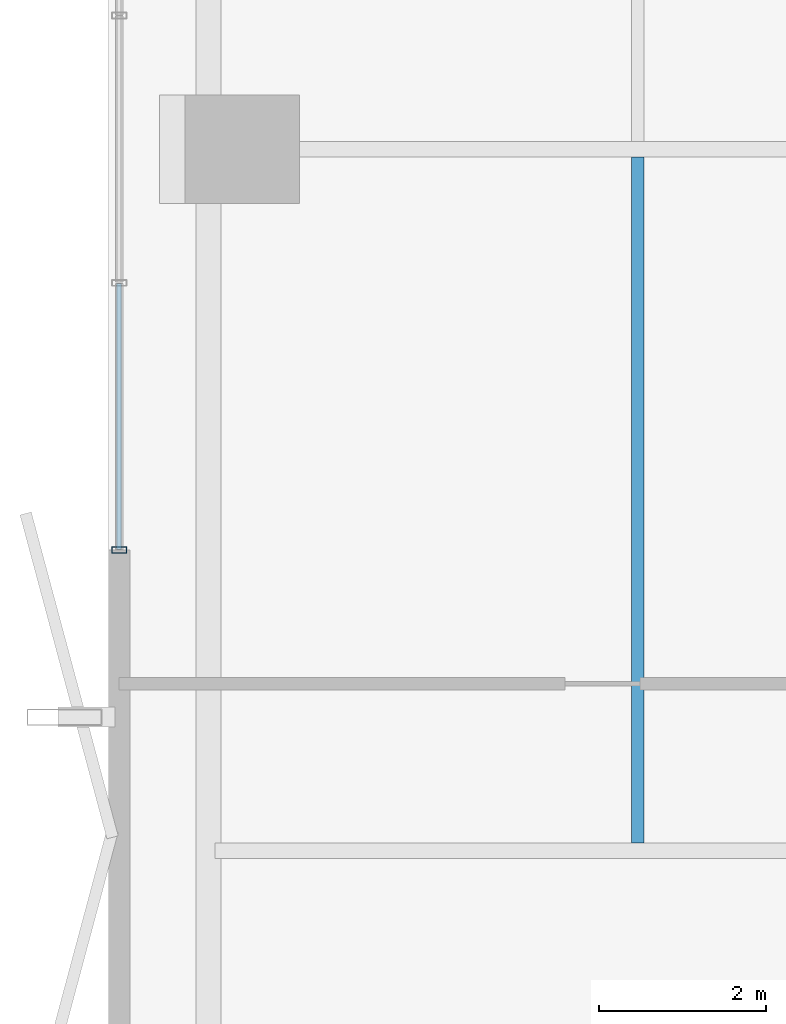
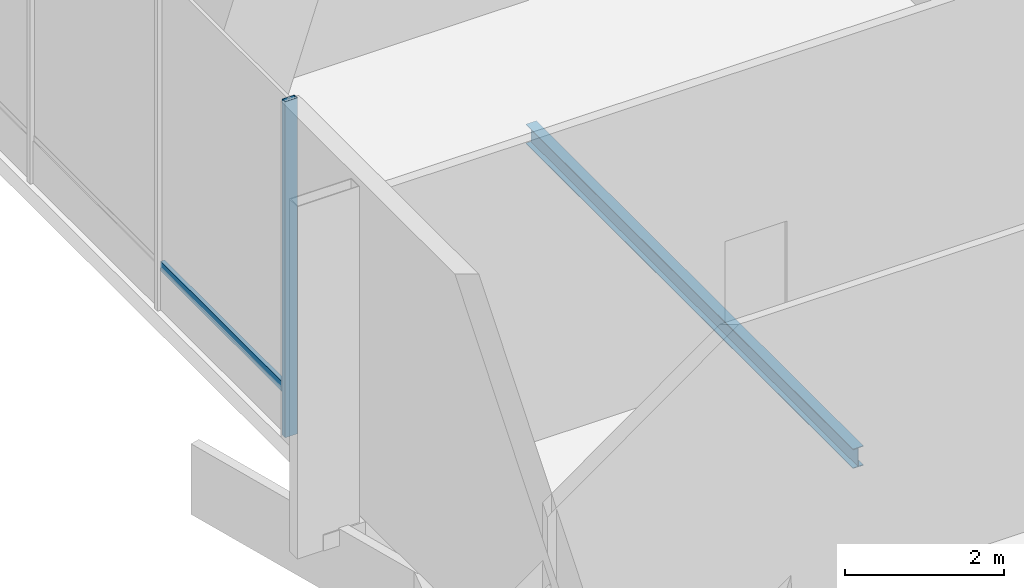
# One storey, part 6 of 28: 2 members, 1 beam, 1 element without a shape of its own.
"""IFC4 building model written with IfcOpenShell, lengths in metres."""

import ifcopenshell
import ifcopenshell.guid

model = None  # the IFC model being written
_history = None  # IfcOwnerHistory: only IFC2X3 demands one
_inside = {}  # id of a spatial element -> (the spatial element, [elements in it])
_under = {}  # id of a project, library or spatial element -> (it, [spatial elements below it])
_declared = {}  # id of a project -> (the project, [libraries it declares])
_typed = {}  # id of a type object -> (the type object, [elements of that type])
_made_of = {}  # id of a material, layer set ... -> (it, [elements and type objects made of it])


def new_model(schema):
    """Start an empty IFC model of exactly this schema.

    Asked for "IFC4X3", IfcOpenShell would pick the latest addendum, in which some entities
    have other attributes; the version numbers below select the first issue.
    IFC2X3 requires an IfcOwnerHistory on every rooted entity: one is made here for all.
    """
    global model, _history
    if schema == "IFC4X3":
        model = ifcopenshell.file(schema_version=(4, 3, 0, 0))
    else:
        model = ifcopenshell.file(schema=schema)
    _inside.clear()
    _under.clear()
    _declared.clear()
    _typed.clear()
    _made_of.clear()
    _history = None
    if model.schema == "IFC2X3":
        org = make("IfcOrganization", Name="unknown")
        user = make(
            "IfcPersonAndOrganization",
            ThePerson=make("IfcPerson", FamilyName="unknown"),
            TheOrganization=org,
        )
        app = make(
            "IfcApplication",
            ApplicationDeveloper=org,
            Version="unknown",
            ApplicationFullName="unknown",
            ApplicationIdentifier="unknown",
        )
        _history = make(
            "IfcOwnerHistory",
            OwningUser=user,
            OwningApplication=app,
            ChangeAction="ADDED",
            CreationDate=0,
        )
    return model


def make(cls, **values):
    """One entity of the class cls with the attributes given. An attribute that is None is left unset."""
    return model.create_entity(
        cls, **{name: value for name, value in values.items() if value is not None}
    )


def rooted(cls, **values):
    """An entity with a GlobalId (a new one), such as an element, a storey or a relation."""
    return make(cls, GlobalId=ifcopenshell.guid.new(), OwnerHistory=_history, **values)


def si_unit(unit_type, name, prefix=None):
    """IfcSIUnit, for example si_unit("LENGTHUNIT", "METRE", prefix="MILLI")."""
    return make("IfcSIUnit", UnitType=unit_type, Prefix=prefix, Name=name)


def assignment(units):
    """IfcUnitAssignment: the units of a project."""
    return None if units is None else make("IfcUnitAssignment", Units=units)


def point(xyz):
    """IfcCartesianPoint."""
    return None if xyz is None else make("IfcCartesianPoint", Coordinates=xyz)


def direction(xyz):
    """IfcDirection."""
    return None if xyz is None else make("IfcDirection", DirectionRatios=xyz)


def frame(location, z_axis=None, x_axis=None):
    """IfcAxis2Placement3D, a coordinate frame: its origin and axes. An axis left out is left unset."""
    return make(
        "IfcAxis2Placement3D",
        Location=point(location),
        Axis=direction(z_axis),
        RefDirection=direction(x_axis),
    )


def frame_2d(location, x_axis=None):
    """IfcAxis2Placement2D, a coordinate frame in the plane: its origin and x axis."""
    return make(
        "IfcAxis2Placement2D", Location=point(location), RefDirection=direction(x_axis)
    )


def origin():
    """The frame at (0, 0, 0) with its axes left unset."""
    return frame((0.0, 0.0, 0.0))


def origin_2d():
    """The frame at (0, 0) in the plane with its x axis left unset."""
    return frame_2d((0.0, 0.0))


def place(relative_to, where):
    """IfcLocalPlacement: puts the frame where relative to a parent placement (None: the world)."""
    return make(
        "IfcLocalPlacement", PlacementRelTo=relative_to, RelativePlacement=where
    )


def context(
    kind, dimensions, precision=None, world=None, true_north=None, identifier=None
):
    """IfcGeometricRepresentationContext, for example the 3D "Model" context."""
    return make(
        "IfcGeometricRepresentationContext",
        ContextIdentifier=identifier,
        ContextType=kind,
        CoordinateSpaceDimension=dimensions,
        Precision=precision,
        WorldCoordinateSystem=world,
        TrueNorth=true_north,
    )


def subcontext(parent, identifier, kind, view, scale=None):
    """IfcGeometricRepresentationSubContext, for example "Body" below "Model"."""
    return make(
        "IfcGeometricRepresentationSubContext",
        ContextIdentifier=identifier,
        ContextType=kind,
        ParentContext=parent,
        TargetScale=scale,
        TargetView=view,
    )


def project(units=None, contexts=None):
    """IfcProject with its units and contexts."""
    return rooted(
        "IfcProject",
        Name="project",
        RepresentationContexts=contexts,
        UnitsInContext=assignment(units),
    )


def spatial(cls, under=None, at=None, **own):
    """A site, building, storey or space (cls), placed at a placement, below another one or the project."""
    s = rooted(cls, ObjectPlacement=at, **own)
    if under is not None:
        _under.setdefault(under.id(), (under, []))[1].append(s)
    return s


def profile(cls, at=None, kind="AREA", **sizes):
    """A parametric profile (cls). Its sizes go by their IFC names, for example OverallWidth=200.0."""
    return make(cls, ProfileType=kind, Position=at, **sizes)


def hollow_rectangle(**sizes):
    """IfcRectangleHollowProfileDef."""
    return profile("IfcRectangleHollowProfileDef", **sizes)


def i_section(**sizes):
    """IfcIShapeProfileDef."""
    return profile("IfcIShapeProfileDef", **sizes)


def extrude(swept, where, along, depth):
    """IfcExtrudedAreaSolid: the profile swept, set in the frame where, extruded along a direction by depth."""
    return make(
        "IfcExtrudedAreaSolid",
        SweptArea=swept,
        Position=where,
        ExtrudedDirection=direction(along),
        Depth=depth,
    )


def shape(context_of_items, identifier, shape_type, items):
    """IfcShapeRepresentation: the items that make up one representation, for example the "Body"."""
    return make(
        "IfcShapeRepresentation",
        ContextOfItems=context_of_items,
        RepresentationIdentifier=identifier,
        RepresentationType=shape_type,
        Items=items,
    )


def material(Name=None, Category=None):
    """IfcMaterial."""
    return make("IfcMaterial", Name=Name, Category=Category)


def layer(
    of_material, thickness, ventilated=None, Name=None, Category=None, Priority=None
):
    """IfcMaterialLayer: one layer of a wall or slab, of a material (None: an air gap)."""
    return make(
        "IfcMaterialLayer",
        Material=of_material,
        LayerThickness=thickness,
        IsVentilated=ventilated,
        Name=Name,
        Category=Category,
        Priority=Priority,
    )


def layer_set(layers, Name=None):
    """IfcMaterialLayerSet."""
    return make("IfcMaterialLayerSet", MaterialLayers=layers, LayerSetName=Name)


def material_profile(
    of_material, cross_section, Name=None, Category=None, Priority=None
):
    """IfcMaterialProfile: a cross section and its material."""
    return make(
        "IfcMaterialProfile",
        Name=Name,
        Material=of_material,
        Profile=cross_section,
        Priority=Priority,
        Category=Category,
    )


def profile_set(profiles, Name=None, composite=None):
    """IfcMaterialProfileSet."""
    return make(
        "IfcMaterialProfileSet",
        Name=Name,
        MaterialProfiles=profiles,
        CompositeProfile=composite,
    )


def made_of(thing, what):
    """Note that an element or type object is made of a material, layer set ...; save() writes the relation."""
    if what is not None:
        _made_of.setdefault(what.id(), (what, []))[1].append(thing)
    return thing


def type_object(cls, material=None, **own):
    """A type object (cls), such as IfcWallType, which elements share."""
    return made_of(rooted(cls, **own), material)


def element(
    cls,
    number,
    at=None,
    inside=None,
    cuts=None,
    type_object=None,
    material=None,
    context=None,
    identifier="Body",
    shape_type=None,
    held_by="IfcProductDefinitionShape",
    body=None,
    shapes=None,
    **own,
):
    """One element of the class cls, such as IfcWall. Its Tag is "e" and its number.

    at: its placement. inside: the storey or other place that contains it. cuts: it is an
    opening in that element (IfcRelVoidsElement). A single representation is given by context,
    identifier, shape_type and body (its items); several are given by shapes. held_by: the class
    of the entity that holds the representations. save() writes the other relations.
    """
    e = rooted(cls, Tag="e%d" % number, ObjectPlacement=at, **own)
    if body is not None:
        shapes = [shape(context, identifier, shape_type, body)]
    if shapes is not None:
        e.Representation = make(held_by, Representations=shapes)
    if inside is not None:
        _inside.setdefault(inside.id(), (inside, []))[1].append(e)
    if cuts is not None:
        rooted(
            "IfcRelVoidsElement", RelatingBuildingElement=cuts, RelatedOpeningElement=e
        )
    if type_object is not None:
        _typed.setdefault(type_object.id(), (type_object, []))[1].append(e)
    return made_of(e, material)


def aggregate(whole, parts):
    """IfcRelAggregates: a whole, such as a stair, and the parts it consists of."""
    return rooted("IfcRelAggregates", RelatingObject=whole, RelatedObjects=parts)


def save(model, path):
    """Write the relations noted so far, then the file.

    IfcRelAggregates (storeys below a building ...), IfcRelContainedInSpatialStructure (elements
    in a storey), IfcRelDefinesByType, IfcRelAssociatesMaterial and IfcRelDeclares: one each for
    every whole, place, type object, material and project.
    """
    for whole, parts in _under.values():
        aggregate(whole, parts)
    for where, things in _inside.values():
        rooted(
            "IfcRelContainedInSpatialStructure",
            RelatedElements=things,
            RelatingStructure=where,
        )
    for kind, things in _typed.values():
        rooted("IfcRelDefinesByType", RelatedObjects=things, RelatingType=kind)
    for what, things in _made_of.values():
        rooted("IfcRelAssociatesMaterial", RelatedObjects=things, RelatingMaterial=what)
    for by, libraries in _declared.values():
        rooted("IfcRelDeclares", RelatingContext=by, RelatedDefinitions=libraries)
    model.write(path)


model = new_model("IFC4")

# Units and contexts
model_context = context("Model", 3, precision=1e-05, world=origin(), true_north=direction((0.0, 1.0)))
body_context = subcontext(model_context, "Body", "Model", "MODEL_VIEW")
ifc_project = project(units=[si_unit("LENGTHUNIT", "METRE"), si_unit("AREAUNIT", "SQUARE_METRE"), si_unit("VOLUMEUNIT", "CUBIC_METRE"), si_unit("PLANEANGLEUNIT", "RADIAN"), si_unit("MASSUNIT", "GRAM", prefix="KILO")], contexts=[model_context])

# Site, building, storey
site_placement = place(None, origin())
site = spatial("IfcSite", under=ifc_project, at=site_placement, CompositionType="ELEMENT")
building_placement = place(site_placement, origin())
building = spatial("IfcBuilding", under=site, at=building_placement, Name="Belovzor Exchange Tower", CompositionType="ELEMENT")
storey_placement = place(building_placement, frame((0.0, 0.0, 132.89990234375)))
storey = spatial("IfcBuildingStorey", under=building, at=storey_placement, Name="L32", CompositionType="ELEMENT", Elevation=132.89990234375)

# Beam
ifc_material_1 = material(Name="Steel S355", Category="steel")
ifc_material_profile_1 = material_profile(ifc_material_1, i_section(OverallWidth=0.14990234375, OverallDepth=0.300048828125, WebThickness=0.007080078125, FlangeThickness=0.0107421875, at=origin_2d()))
ifc_profile_set_1 = profile_set([ifc_material_profile_1], Name="Steel S355")
beam_type = type_object("IfcBeamType", Name="Secondary Trim Floor Joist IPE 300", PredefinedType="BEAM", material=ifc_profile_set_1)
beam_placement = place(storey_placement, frame((9.0390625, 20.4951171875, -0.39990234375), z_axis=(0.0, 1.0, 0.0), x_axis=(-1.0, 0.0, 0.0)))
element("IfcBeam", 1, at=beam_placement, inside=storey, type_object=beam_type, Name="FJ-300 Secondary Trim Floor Joist IPE 300", PredefinedType="BEAM", context=body_context, shape_type="SweptSolid", body=[
    extrude(i_section(OverallWidth=0.14990234375, OverallDepth=0.300048828125, WebThickness=0.007080078125, FlangeThickness=0.0107421875, at=origin_2d()), origin(), (0.0, 0.0, 1.0), 8.2099609375),
])

# Curtain wall, members
ifc_material_2 = material(Name="Anodised Aluminium Framing", Category="aluminium")
ifc_layer = layer(ifc_material_2, 0.239990234375)
ifc_layer_set = layer_set([ifc_layer], Name="Anodised Aluminium Framing")
curtain_wall_type = type_object("IfcCurtainWallType", Name="Sky-Lobby Double-Skin Acoustic Curtain Wall", PredefinedType="NOTDEFINED", material=ifc_layer_set)
curtain_wall_placement = place(storey_placement, origin())
curtain_wall = element("IfcCurtainWall", 2, at=curtain_wall_placement, inside=storey, type_object=curtain_wall_type, Name="CW4 Sky-Lobby Double-Skin Acoustic Curtain Wall L32", PredefinedType="NOTDEFINED")
ifc_material_3 = material(Name="Steel S355", Category="steel")
ifc_material_profile_2 = material_profile(ifc_material_3, hollow_rectangle(XDim=0.074951171875, YDim=0.179931640625, WallThickness=0.0048828125, at=origin_2d()))
ifc_profile_set_2 = profile_set([ifc_material_profile_2], Name="Steel S355")
member_type_1 = type_object("IfcMemberType", Name="Thermally Broken Curtain Wall Mullion 180x75", PredefinedType="MULLION", material=ifc_profile_set_2)
member_1_placement = place(storey_placement, frame((2.830078125, 24.0, 0.0), z_axis=(0.0, 0.0, 1.0), x_axis=(0.0, 1.0, 0.0)))
member_1 = element("IfcMember", 3, at=member_1_placement, type_object=member_type_1, Name="CW-M180 Curtain Wall Mullion 1", PredefinedType="MULLION", context=body_context, shape_type="SweptSolid", body=[
    extrude(hollow_rectangle(XDim=0.074951171875, YDim=0.179931640625, WallThickness=0.0048828125, at=origin_2d()), origin(), (0.0, 0.0, 1.0), 5.14501953125),
])
ifc_material_4 = material(Name="Steel S355", Category="steel")
ifc_material_profile_3 = material_profile(ifc_material_4, hollow_rectangle(XDim=0.06005859375, YDim=0.14990234375, WallThickness=0.00390625, at=origin_2d()))
ifc_profile_set_3 = profile_set([ifc_material_profile_3], Name="Steel S355")
member_type_2 = type_object("IfcMemberType", Name="Thermally Broken Curtain Wall Transom 150x60", PredefinedType="USERDEFINED", material=ifc_profile_set_3)
member_2_placement = place(storey_placement, frame((2.830078125, 24.008056640625, 0.650146484375), z_axis=(0.0, 1.0, 0.0), x_axis=(-1.0, 0.0, 0.0)))
member_2 = element("IfcMember", 4, at=member_2_placement, type_object=member_type_2, Name="CW-T150 Curtain Wall Transom 1", ObjectType="TRANSOM", PredefinedType="USERDEFINED", context=body_context, shape_type="SweptSolid", body=[
    extrude(hollow_rectangle(XDim=0.06005859375, YDim=0.14990234375, WallThickness=0.00390625, at=origin_2d()), origin(), (0.0, 0.0, 1.0), 3.183837890625),
])
aggregate(curtain_wall, [member_1, member_2])

save(model, "model.ifc")
